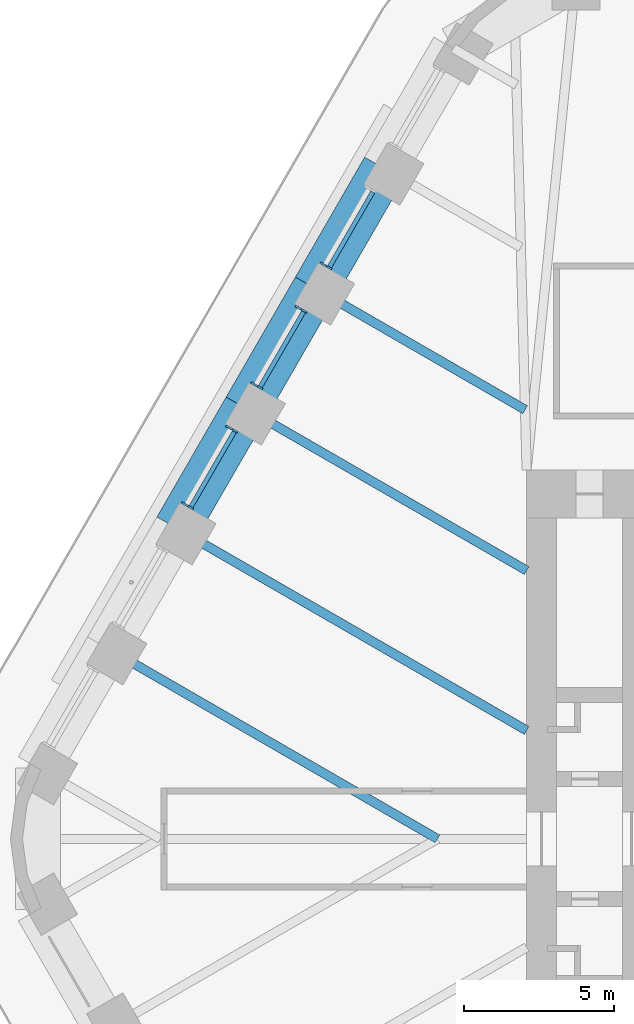
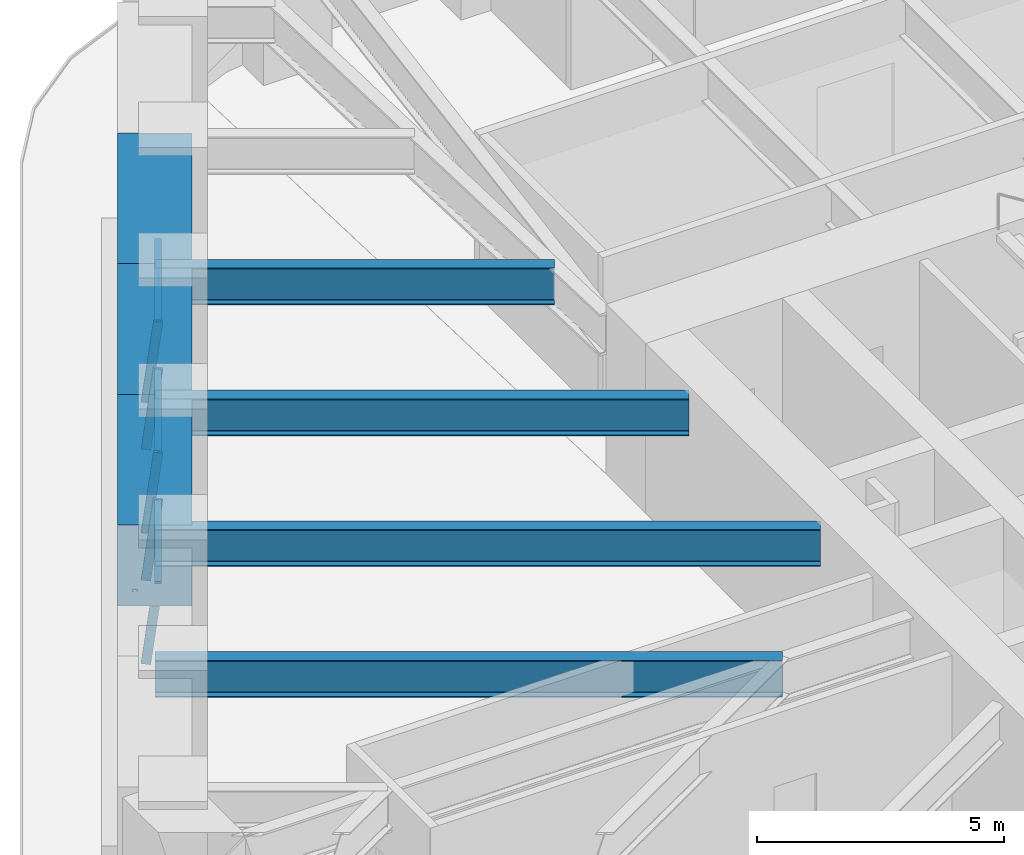
# One storey, part 7 of 20: 8 members, 7 beams, 3 elements without a shape of their own.
"""IFC4 building model written with IfcOpenShell, lengths in metres."""

from ifc_helpers import new_model, si_unit, direction, frame, origin, origin_2d, place, context, subcontext, project, spatial, rectangle, i_section, extrude, material, material_profile, profile_set, type_object, element, aggregate, save


model = new_model("IFC4")

# Units and contexts
model_context = context("Model", 3, precision=1e-05, world=origin(), true_north=direction((0.0, 1.0)))
body_context = subcontext(model_context, "Body", "Model", "MODEL_VIEW")
ifc_project = project(units=[si_unit("LENGTHUNIT", "METRE"), si_unit("AREAUNIT", "SQUARE_METRE"), si_unit("VOLUMEUNIT", "CUBIC_METRE"), si_unit("PLANEANGLEUNIT", "RADIAN"), si_unit("MASSUNIT", "GRAM", prefix="KILO")], contexts=[model_context])

# Site, building, storey
site_placement = place(None, origin())
site = spatial("IfcSite", under=ifc_project, at=site_placement, CompositionType="ELEMENT")
building_placement = place(site_placement, origin())
building = spatial("IfcBuilding", under=site, at=building_placement, Name="Tarfa Lantern Tower", CompositionType="ELEMENT")
storey_placement = place(building_placement, frame((0.0, 0.0, 228.10009765625)))
storey = spatial("IfcBuildingStorey", under=building, at=storey_placement, Name="L51", CompositionType="ELEMENT", Elevation=228.10009765625)

# Curtain wall, member
ifc_material_1 = material(Name="Aluminium framed curtain wall", Category="aluminium")
curtain_wall_type = type_object("IfcCurtainWallType", Name="CW3 CANTED GLAZING HIGH ZONE 2000", PredefinedType="USERDEFINED", material=ifc_material_1)
curtain_wall_1_placement = place(storey_placement, origin())
curtain_wall_1 = element("IfcCurtainWall", 1, at=curtain_wall_1_placement, inside=storey, type_object=curtain_wall_type, Name="CW3 NW L51", ObjectType="CURTAIN WALL", PredefinedType="USERDEFINED")
ifc_material_2 = material(Name="Aluminium mullion", Category="aluminium")
ifc_material_profile_1 = material_profile(ifc_material_2, rectangle(XDim=0.06494140625, YDim=0.199951171875, at=origin_2d()), Name="AL MULLION 65x200")
ifc_profile_set_1 = profile_set([ifc_material_profile_1], Name="Aluminium mullion")
member_type_1 = type_object("IfcMemberType", Name="CWM1 MULLION 65x200", PredefinedType="MULLION", material=ifc_profile_set_1)
member_1_placement = place(storey_placement, frame((-22.302490234375, 19.1708984375, 0.0), z_axis=(0.107439978116, -0.062017213975, 0.992275423596), x_axis=(0.499919672301, 0.866071776036, 0.0)))
member_1 = element("IfcMember", 2, at=member_1_placement, type_object=member_type_1, Name="CW3 mullion 2", PredefinedType="MULLION", context=body_context, shape_type="SweptSolid", body=[
    extrude(rectangle(XDim=0.06494140625, YDim=0.199951171875, at=origin_2d()), origin(), (0.0, 0.0, 1.0), 2.015625),
])

# Curtain wall, members
curtain_wall_2_placement = place(storey_placement, origin())
curtain_wall_2 = element("IfcCurtainWall", 3, at=curtain_wall_2_placement, inside=storey, type_object=curtain_wall_type, Name="CW3 NW L51", ObjectType="CURTAIN WALL", PredefinedType="USERDEFINED")
member_2_placement = place(storey_placement, frame((-23.135009765625, 17.72900390625, 0.0), z_axis=(0.107439978116, -0.062017213975, 0.992275423596), x_axis=(0.499919672301, 0.866071776036, 0.0)))
member_2 = element("IfcMember", 4, at=member_2_placement, type_object=member_type_1, Name="CW3 mullion 1", PredefinedType="MULLION", context=body_context, shape_type="SweptSolid", body=[
    extrude(rectangle(XDim=0.06494140625, YDim=0.199951171875, at=origin_2d()), origin(), (0.0, 0.0, 1.0), 2.015625),
])
member_3_placement = place(storey_placement, frame((-24.61181640625, 15.1708984375, 0.0), z_axis=(0.107439978116, -0.062017213975, 0.992275423596), x_axis=(0.499919672301, 0.866071776036, 0.0)))
member_3 = element("IfcMember", 5, at=member_3_placement, type_object=member_type_1, Name="CW3 mullion 2", PredefinedType="MULLION", context=body_context, shape_type="SweptSolid", body=[
    extrude(rectangle(XDim=0.06494140625, YDim=0.199951171875, at=origin_2d()), origin(), (0.0, 0.0, 1.0), 2.015625),
])

curtain_wall_3_placement = place(storey_placement, origin())
curtain_wall_3 = element("IfcCurtainWall", 6, at=curtain_wall_3_placement, inside=storey, type_object=curtain_wall_type, Name="CW3 NW L51", ObjectType="CURTAIN WALL", PredefinedType="USERDEFINED")
member_4_placement = place(storey_placement, frame((-25.4443359375, 13.72900390625, 0.0), z_axis=(0.107439978116, -0.062017213975, 0.992275423596), x_axis=(0.499919672301, 0.866071776036, 0.0)))
member_4 = element("IfcMember", 7, at=member_4_placement, type_object=member_type_1, Name="CW3 mullion 1", PredefinedType="MULLION", context=body_context, shape_type="SweptSolid", body=[
    extrude(rectangle(XDim=0.06494140625, YDim=0.199951171875, at=origin_2d()), origin(), (0.0, 0.0, 1.0), 2.015625),
])
member_5_placement = place(storey_placement, frame((-26.92138671875, 11.1708984375, 0.0), z_axis=(0.107439978116, -0.062017213975, 0.992275423596), x_axis=(0.499919672301, 0.866071776036, 0.0)))
member_5 = element("IfcMember", 8, at=member_5_placement, type_object=member_type_1, Name="CW3 mullion 2", PredefinedType="MULLION", context=body_context, shape_type="SweptSolid", body=[
    extrude(rectangle(XDim=0.06494140625, YDim=0.199951171875, at=origin_2d()), origin(), (0.0, 0.0, 1.0), 2.015625),
])

# Member
ifc_material_3 = material(Name="Aluminium transom", Category="aluminium")
ifc_material_profile_2 = material_profile(ifc_material_3, rectangle(XDim=0.14990234375, YDim=0.06494140625, at=origin_2d()), Name="AL TRANSOM 150x65")
ifc_profile_set_2 = profile_set([ifc_material_profile_2], Name="Aluminium transom")
member_type_2 = type_object("IfcMemberType", Name="CWT1 TRANSOM 150x65", PredefinedType="USERDEFINED", material=ifc_profile_set_2)
member_6_placement = place(storey_placement, frame((-20.62890625, 21.577880859375, 1.96728515625), z_axis=(-0.499993141028, -0.866029363778, 0.0), x_axis=(0.866029363778, -0.499993141028, 0.0)))
member_6 = element("IfcMember", 9, at=member_6_placement, type_object=member_type_2, Name="CW3 transom 1.2", ObjectType="TRANSOM", PredefinedType="USERDEFINED", context=body_context, shape_type="SweptSolid", body=[
    extrude(rectangle(XDim=0.14990234375, YDim=0.06494140625, at=origin_2d()), origin(), (0.0, 0.0, 1.0), 2.888671875),
])

aggregate(curtain_wall_1, [member_1, member_6])

member_7_placement = place(storey_placement, frame((-22.938232421875, 17.577880859375, 1.96728515625), z_axis=(-0.499993141028, -0.866029363778, 0.0), x_axis=(0.866029363778, -0.499993141028, 0.0)))
member_7 = element("IfcMember", 10, at=member_7_placement, type_object=member_type_2, Name="CW3 transom 1.2", ObjectType="TRANSOM", PredefinedType="USERDEFINED", context=body_context, shape_type="SweptSolid", body=[
    extrude(rectangle(XDim=0.14990234375, YDim=0.06494140625, at=origin_2d()), origin(), (0.0, 0.0, 1.0), 2.888671875),
])

aggregate(curtain_wall_2, [member_2, member_3, member_7])

member_8_placement = place(storey_placement, frame((-25.24755859375, 13.577880859375, 1.96728515625), z_axis=(-0.500056524144, -0.865992767095, 0.0), x_axis=(0.865992767095, -0.500056524144, 0.0)))
member_8 = element("IfcMember", 11, at=member_8_placement, type_object=member_type_2, Name="CW3 transom 1.2", ObjectType="TRANSOM", PredefinedType="USERDEFINED", context=body_context, shape_type="SweptSolid", body=[
    extrude(rectangle(XDim=0.14990234375, YDim=0.06494140625, at=origin_2d()), origin(), (0.0, 0.0, 1.0), 2.888916015625),
])

aggregate(curtain_wall_3, [member_4, member_5, member_8])

# Beams
ifc_material_4 = material(Name="Concrete C80/95", Category="concrete")
ifc_material_profile_3 = material_profile(ifc_material_4, rectangle(XDim=1.5, YDim=2.0, at=origin_2d()), Name="RC 1500x2000")
ifc_profile_set_3 = profile_set([ifc_material_profile_3], Name="Concrete C80/95")
beam_type_1 = type_object("IfcBeamType", Name="RB3 RC 1500x2000", PredefinedType="BEAM", material=ifc_profile_set_3)
beam_1_placement = place(storey_placement, frame((-20.25341796875, 22.360107421875, 3.0), z_axis=(-0.499987836815, -0.866032426089, 0.0), x_axis=(0.866032426089, -0.499987836815, 0.0)))
element("IfcBeam", 12, at=beam_1_placement, inside=storey, type_object=beam_type_1, Name="Edge beam NW1", PredefinedType="BEAM", context=body_context, shape_type="SweptSolid", body=[
    extrude(rectangle(XDim=1.5, YDim=2.0, at=origin_2d()), origin(), (0.0, 0.0, 1.0), 4.61865234375),
])
beam_2_placement = place(storey_placement, frame((-22.562744140625, 18.360107421875, 3.0), z_axis=(-0.500027479704, -0.866009537788, 0.0), x_axis=(0.866009537788, -0.500027479704, 0.0)))
element("IfcBeam", 13, at=beam_2_placement, inside=storey, type_object=beam_type_1, Name="Edge beam NW2", PredefinedType="BEAM", context=body_context, shape_type="SweptSolid", body=[
    extrude(rectangle(XDim=1.5, YDim=2.0, at=origin_2d()), origin(), (0.0, 0.0, 1.0), 4.618896484375),
])
beam_3_placement = place(storey_placement, frame((-24.872314453125, 14.360107421875, 3.0), z_axis=(-0.499987836815, -0.866032426089, 0.0), x_axis=(0.866032426089, -0.499987836815, 0.0)))
element("IfcBeam", 14, at=beam_3_placement, inside=storey, type_object=beam_type_1, Name="Edge beam NW3", PredefinedType="BEAM", context=body_context, shape_type="SweptSolid", body=[
    extrude(rectangle(XDim=1.5, YDim=2.0, at=origin_2d()), origin(), (0.0, 0.0, 1.0), 4.61865234375),
])
ifc_material_5 = material(Name="Steel S460M", Category="steel")
ifc_material_profile_4 = material_profile(ifc_material_5, i_section(OverallWidth=0.305419921875, OverallDepth=0.91845703125, WebThickness=0.017333984375, FlangeThickness=0.02783203125, FilletRadius=0.01904296875, at=origin_2d()), Name="UB914x305x253")
ifc_profile_set_4 = profile_set([ifc_material_profile_4], Name="Steel S460M")
beam_type_2 = type_object("IfcBeamType", Name="UB914x305x253", PredefinedType="BEAM", material=ifc_profile_set_4)
beam_4_placement = place(storey_placement, frame((-22.562744140625, 18.360107421875, 3.540771484375), z_axis=(0.866010787764, -0.500025314835, 0.0), x_axis=(0.500025314835, 0.866010787764, 0.0)))
element("IfcBeam", 15, at=beam_4_placement, inside=storey, type_object=beam_type_2, Name="Floor beam NW2", PredefinedType="BEAM", context=body_context, shape_type="SweptSolid", body=[
    extrude(i_section(OverallWidth=0.305419921875, OverallDepth=0.91845703125, WebThickness=0.017333984375, FlangeThickness=0.02783203125, FilletRadius=0.01904296875, at=origin_2d()), origin(), (0.0, 0.0, 1.0), 8.09423828125),
])
beam_5_placement = place(storey_placement, frame((-24.872314453125, 14.360107421875, 3.540771484375), z_axis=(0.8660244219, -0.500001700669, 0.0), x_axis=(0.500001700669, 0.8660244219, 0.0)))
element("IfcBeam", 16, at=beam_5_placement, inside=storey, type_object=beam_type_2, Name="Floor beam NW3", PredefinedType="BEAM", context=body_context, shape_type="SweptSolid", body=[
    extrude(i_section(OverallWidth=0.305419921875, OverallDepth=0.91845703125, WebThickness=0.017333984375, FlangeThickness=0.02783203125, FilletRadius=0.01904296875, at=origin_2d()), origin(), (0.0, 0.0, 1.0), 10.822265625),
])
beam_6_placement = place(storey_placement, frame((-27.181640625, 10.360107421875, 3.540771484375), z_axis=(0.866018002818, -0.500012818631, 0.0), x_axis=(0.500012818631, 0.866018002818, 0.0)))
element("IfcBeam", 17, at=beam_6_placement, inside=storey, type_object=beam_type_2, Name="Floor beam NW4", PredefinedType="BEAM", context=body_context, shape_type="SweptSolid", body=[
    extrude(i_section(OverallWidth=0.305419921875, OverallDepth=0.91845703125, WebThickness=0.017333984375, FlangeThickness=0.02783203125, FilletRadius=0.01904296875, at=origin_2d()), origin(), (0.0, 0.0, 1.0), 13.489013671875),
])
beam_7_placement = place(storey_placement, frame((-29.490966796875, 6.360107421875, 3.540771484375), z_axis=(0.866022258038, -0.500005448553, 0.0), x_axis=(0.500005448553, 0.866022258038, 0.0)))
element("IfcBeam", 18, at=beam_7_placement, inside=storey, type_object=beam_type_2, Name="Floor beam NW5", PredefinedType="BEAM", context=body_context, shape_type="SweptSolid", body=[
    extrude(i_section(OverallWidth=0.305419921875, OverallDepth=0.91845703125, WebThickness=0.017333984375, FlangeThickness=0.02783203125, FilletRadius=0.01904296875, at=origin_2d()), origin(), (0.0, 0.0, 1.0), 12.719970703125),
])

save(model, "model.ifc")
